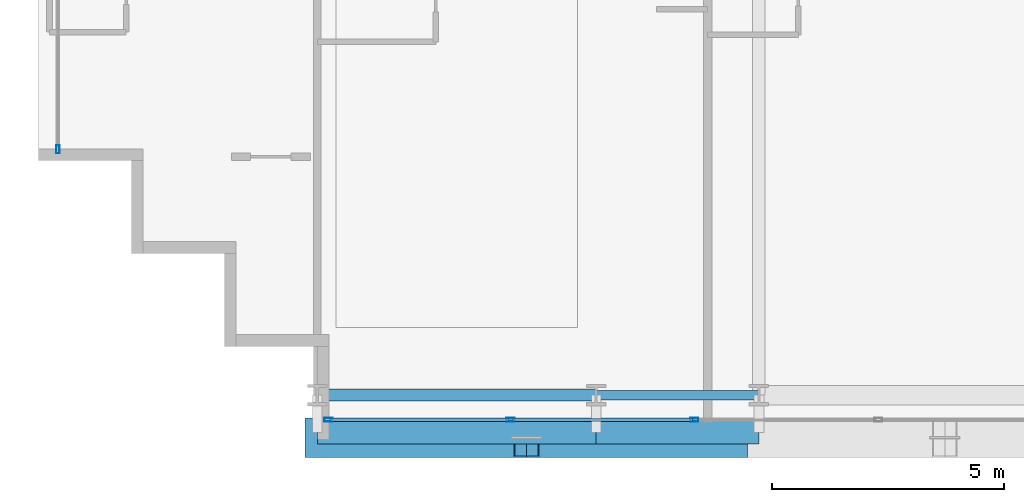
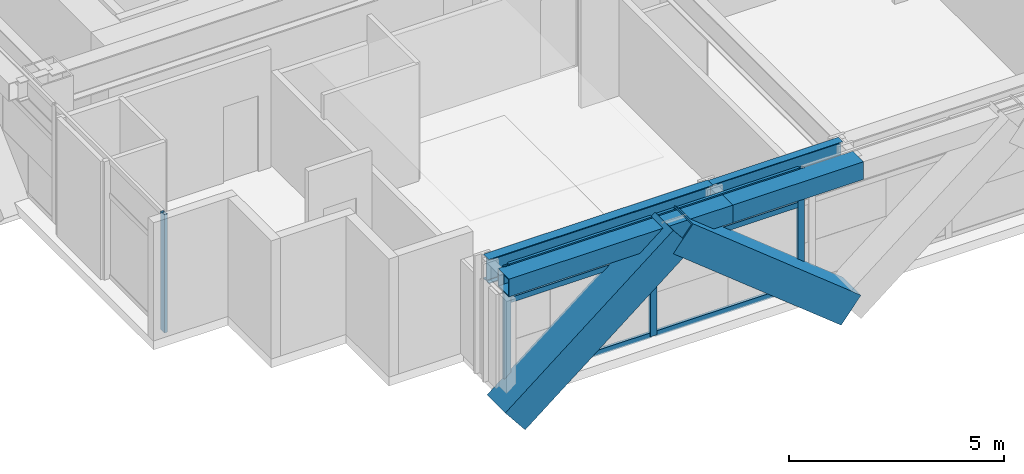
# One storey, part 2 of 35: 12 members, 4 beams, 2 elements without a shape of their own.
"""IFC4 building model written with IfcOpenShell, lengths in metres."""

import ifcopenshell
import ifcopenshell.guid

model = None  # the IFC model being written
_history = None  # IfcOwnerHistory: only IFC2X3 demands one
_inside = {}  # id of a spatial element -> (the spatial element, [elements in it])
_under = {}  # id of a project, library or spatial element -> (it, [spatial elements below it])
_declared = {}  # id of a project -> (the project, [libraries it declares])
_typed = {}  # id of a type object -> (the type object, [elements of that type])
_made_of = {}  # id of a material, layer set ... -> (it, [elements and type objects made of it])


def new_model(schema):
    """Start an empty IFC model of exactly this schema.

    Asked for "IFC4X3", IfcOpenShell would pick the latest addendum, in which some entities
    have other attributes; the version numbers below select the first issue.
    IFC2X3 requires an IfcOwnerHistory on every rooted entity: one is made here for all.
    """
    global model, _history
    if schema == "IFC4X3":
        model = ifcopenshell.file(schema_version=(4, 3, 0, 0))
    else:
        model = ifcopenshell.file(schema=schema)
    _inside.clear()
    _under.clear()
    _declared.clear()
    _typed.clear()
    _made_of.clear()
    _history = None
    if model.schema == "IFC2X3":
        org = make("IfcOrganization", Name="unknown")
        user = make(
            "IfcPersonAndOrganization",
            ThePerson=make("IfcPerson", FamilyName="unknown"),
            TheOrganization=org,
        )
        app = make(
            "IfcApplication",
            ApplicationDeveloper=org,
            Version="unknown",
            ApplicationFullName="unknown",
            ApplicationIdentifier="unknown",
        )
        _history = make(
            "IfcOwnerHistory",
            OwningUser=user,
            OwningApplication=app,
            ChangeAction="ADDED",
            CreationDate=0,
        )
    return model


def make(cls, **values):
    """One entity of the class cls with the attributes given. An attribute that is None is left unset."""
    return model.create_entity(
        cls, **{name: value for name, value in values.items() if value is not None}
    )


def rooted(cls, **values):
    """An entity with a GlobalId (a new one), such as an element, a storey or a relation."""
    return make(cls, GlobalId=ifcopenshell.guid.new(), OwnerHistory=_history, **values)


def si_unit(unit_type, name, prefix=None):
    """IfcSIUnit, for example si_unit("LENGTHUNIT", "METRE", prefix="MILLI")."""
    return make("IfcSIUnit", UnitType=unit_type, Prefix=prefix, Name=name)


def assignment(units):
    """IfcUnitAssignment: the units of a project."""
    return None if units is None else make("IfcUnitAssignment", Units=units)


def point(xyz):
    """IfcCartesianPoint."""
    return None if xyz is None else make("IfcCartesianPoint", Coordinates=xyz)


def direction(xyz):
    """IfcDirection."""
    return None if xyz is None else make("IfcDirection", DirectionRatios=xyz)


def frame(location, z_axis=None, x_axis=None):
    """IfcAxis2Placement3D, a coordinate frame: its origin and axes. An axis left out is left unset."""
    return make(
        "IfcAxis2Placement3D",
        Location=point(location),
        Axis=direction(z_axis),
        RefDirection=direction(x_axis),
    )


def frame_2d(location, x_axis=None):
    """IfcAxis2Placement2D, a coordinate frame in the plane: its origin and x axis."""
    return make(
        "IfcAxis2Placement2D", Location=point(location), RefDirection=direction(x_axis)
    )


def origin():
    """The frame at (0, 0, 0) with its axes left unset."""
    return frame((0.0, 0.0, 0.0))


def origin_2d():
    """The frame at (0, 0) in the plane with its x axis left unset."""
    return frame_2d((0.0, 0.0))


def place(relative_to, where):
    """IfcLocalPlacement: puts the frame where relative to a parent placement (None: the world)."""
    return make(
        "IfcLocalPlacement", PlacementRelTo=relative_to, RelativePlacement=where
    )


def context(
    kind, dimensions, precision=None, world=None, true_north=None, identifier=None
):
    """IfcGeometricRepresentationContext, for example the 3D "Model" context."""
    return make(
        "IfcGeometricRepresentationContext",
        ContextIdentifier=identifier,
        ContextType=kind,
        CoordinateSpaceDimension=dimensions,
        Precision=precision,
        WorldCoordinateSystem=world,
        TrueNorth=true_north,
    )


def subcontext(parent, identifier, kind, view, scale=None):
    """IfcGeometricRepresentationSubContext, for example "Body" below "Model"."""
    return make(
        "IfcGeometricRepresentationSubContext",
        ContextIdentifier=identifier,
        ContextType=kind,
        ParentContext=parent,
        TargetScale=scale,
        TargetView=view,
    )


def project(units=None, contexts=None):
    """IfcProject with its units and contexts."""
    return rooted(
        "IfcProject",
        Name="project",
        RepresentationContexts=contexts,
        UnitsInContext=assignment(units),
    )


def spatial(cls, under=None, at=None, **own):
    """A site, building, storey or space (cls), placed at a placement, below another one or the project."""
    s = rooted(cls, ObjectPlacement=at, **own)
    if under is not None:
        _under.setdefault(under.id(), (under, []))[1].append(s)
    return s


def profile(cls, at=None, kind="AREA", **sizes):
    """A parametric profile (cls). Its sizes go by their IFC names, for example OverallWidth=200.0."""
    return make(cls, ProfileType=kind, Position=at, **sizes)


def hollow_rectangle(**sizes):
    """IfcRectangleHollowProfileDef."""
    return profile("IfcRectangleHollowProfileDef", **sizes)


def i_section(**sizes):
    """IfcIShapeProfileDef."""
    return profile("IfcIShapeProfileDef", **sizes)


def extrude(swept, where, along, depth):
    """IfcExtrudedAreaSolid: the profile swept, set in the frame where, extruded along a direction by depth."""
    return make(
        "IfcExtrudedAreaSolid",
        SweptArea=swept,
        Position=where,
        ExtrudedDirection=direction(along),
        Depth=depth,
    )


def shape(context_of_items, identifier, shape_type, items):
    """IfcShapeRepresentation: the items that make up one representation, for example the "Body"."""
    return make(
        "IfcShapeRepresentation",
        ContextOfItems=context_of_items,
        RepresentationIdentifier=identifier,
        RepresentationType=shape_type,
        Items=items,
    )


def source(mapping_origin, context_of_items, identifier, shape_type, items):
    """IfcRepresentationMap: a shape defined once, which mapped items show again and again."""
    return make(
        "IfcRepresentationMap",
        MappingOrigin=mapping_origin,
        MappedRepresentation=shape(context_of_items, identifier, shape_type, items),
    )


def transform(
    local_origin,
    x_axis=None,
    y_axis=None,
    z_axis=None,
    scale=None,
    scale2=None,
    scale3=None,
    uniform=True,
):
    """IfcCartesianTransformationOperator3D, or its non-uniform kind. x_axis, y_axis, z_axis: its Axis1, 2, 3."""
    if uniform:
        return make(
            "IfcCartesianTransformationOperator3D",
            Axis1=direction(x_axis),
            Axis2=direction(y_axis),
            LocalOrigin=point(local_origin),
            Scale=scale,
            Axis3=direction(z_axis),
        )
    return make(
        "IfcCartesianTransformationOperator3DnonUniform",
        Axis1=direction(x_axis),
        Axis2=direction(y_axis),
        LocalOrigin=point(local_origin),
        Scale=scale,
        Axis3=direction(z_axis),
        Scale2=scale2,
        Scale3=scale3,
    )


def mapped(mapping_source, mapping_target):
    """IfcMappedItem: shows the shape of a source again, moved by a transform."""
    return make(
        "IfcMappedItem", MappingSource=mapping_source, MappingTarget=mapping_target
    )


def material(Name=None, Category=None):
    """IfcMaterial."""
    return make("IfcMaterial", Name=Name, Category=Category)


def layer(
    of_material, thickness, ventilated=None, Name=None, Category=None, Priority=None
):
    """IfcMaterialLayer: one layer of a wall or slab, of a material (None: an air gap)."""
    return make(
        "IfcMaterialLayer",
        Material=of_material,
        LayerThickness=thickness,
        IsVentilated=ventilated,
        Name=Name,
        Category=Category,
        Priority=Priority,
    )


def layer_set(layers, Name=None):
    """IfcMaterialLayerSet."""
    return make("IfcMaterialLayerSet", MaterialLayers=layers, LayerSetName=Name)


def material_profile(
    of_material, cross_section, Name=None, Category=None, Priority=None
):
    """IfcMaterialProfile: a cross section and its material."""
    return make(
        "IfcMaterialProfile",
        Name=Name,
        Material=of_material,
        Profile=cross_section,
        Priority=Priority,
        Category=Category,
    )


def profile_set(profiles, Name=None, composite=None):
    """IfcMaterialProfileSet."""
    return make(
        "IfcMaterialProfileSet",
        Name=Name,
        MaterialProfiles=profiles,
        CompositeProfile=composite,
    )


def made_of(thing, what):
    """Note that an element or type object is made of a material, layer set ...; save() writes the relation."""
    if what is not None:
        _made_of.setdefault(what.id(), (what, []))[1].append(thing)
    return thing


def type_object(cls, material=None, **own):
    """A type object (cls), such as IfcWallType, which elements share."""
    return made_of(rooted(cls, **own), material)


def element(
    cls,
    number,
    at=None,
    inside=None,
    cuts=None,
    type_object=None,
    material=None,
    context=None,
    identifier="Body",
    shape_type=None,
    held_by="IfcProductDefinitionShape",
    body=None,
    shapes=None,
    **own,
):
    """One element of the class cls, such as IfcWall. Its Tag is "e" and its number.

    at: its placement. inside: the storey or other place that contains it. cuts: it is an
    opening in that element (IfcRelVoidsElement). A single representation is given by context,
    identifier, shape_type and body (its items); several are given by shapes. held_by: the class
    of the entity that holds the representations. save() writes the other relations.
    """
    e = rooted(cls, Tag="e%d" % number, ObjectPlacement=at, **own)
    if body is not None:
        shapes = [shape(context, identifier, shape_type, body)]
    if shapes is not None:
        e.Representation = make(held_by, Representations=shapes)
    if inside is not None:
        _inside.setdefault(inside.id(), (inside, []))[1].append(e)
    if cuts is not None:
        rooted(
            "IfcRelVoidsElement", RelatingBuildingElement=cuts, RelatedOpeningElement=e
        )
    if type_object is not None:
        _typed.setdefault(type_object.id(), (type_object, []))[1].append(e)
    return made_of(e, material)


def aggregate(whole, parts):
    """IfcRelAggregates: a whole, such as a stair, and the parts it consists of."""
    return rooted("IfcRelAggregates", RelatingObject=whole, RelatedObjects=parts)


def save(model, path):
    """Write the relations noted so far, then the file.

    IfcRelAggregates (storeys below a building ...), IfcRelContainedInSpatialStructure (elements
    in a storey), IfcRelDefinesByType, IfcRelAssociatesMaterial and IfcRelDeclares: one each for
    every whole, place, type object, material and project.
    """
    for whole, parts in _under.values():
        aggregate(whole, parts)
    for where, things in _inside.values():
        rooted(
            "IfcRelContainedInSpatialStructure",
            RelatedElements=things,
            RelatingStructure=where,
        )
    for kind, things in _typed.values():
        rooted("IfcRelDefinesByType", RelatedObjects=things, RelatingType=kind)
    for what, things in _made_of.values():
        rooted("IfcRelAssociatesMaterial", RelatedObjects=things, RelatingMaterial=what)
    for by, libraries in _declared.values():
        rooted("IfcRelDeclares", RelatingContext=by, RelatedDefinitions=libraries)
    model.write(path)


model = new_model("IFC4")

# Units and contexts
model_context = context("Model", 3, precision=1e-05, world=origin(), true_north=direction((0.0, 1.0)))
body_context = subcontext(model_context, "Body", "Model", "MODEL_VIEW")
ifc_project = project(units=[si_unit("LENGTHUNIT", "METRE"), si_unit("AREAUNIT", "SQUARE_METRE"), si_unit("VOLUMEUNIT", "CUBIC_METRE"), si_unit("PLANEANGLEUNIT", "RADIAN"), si_unit("MASSUNIT", "GRAM", prefix="KILO")], contexts=[model_context])

# Site, building, storey
site_placement = place(None, origin())
site = spatial("IfcSite", under=ifc_project, at=site_placement, CompositionType="ELEMENT")
building_placement = place(site_placement, origin())
building = spatial("IfcBuilding", under=site, at=building_placement, Name="Ocotamira Hotel", CompositionType="ELEMENT")
storey_placement = place(building_placement, frame((0.0, 0.0, 63.60009765625)))
storey = spatial("IfcBuildingStorey", under=building, at=storey_placement, Name="L15", CompositionType="ELEMENT", Elevation=63.60009765625)

# Beams
ifc_material_1 = material(Name="Steel ASTM A992 Grade 50", Category="steel")
ifc_material_profile_1 = material_profile(ifc_material_1, i_section(OverallWidth=0.256103515625, OverallDepth=0.693115234375, WebThickness=0.014404296875, FlangeThickness=0.023681640625, FilletRadius=0.01611328125, at=origin_2d()), Name="W27X114")
ifc_profile_set_1 = profile_set([ifc_material_profile_1], Name="Steel ASTM A992 Grade 50")
beam_type_1 = type_object("IfcBeamType", Name="BM-PRIM-W27X114", PredefinedType="BEAM", material=ifc_profile_set_1)
shared_shape_1 = source(origin(), body_context, "Body", "SweptSolid", [
    extrude(i_section(OverallWidth=0.256103515625, OverallDepth=0.693115234375, WebThickness=0.014404296875, FlangeThickness=0.023681640625, FilletRadius=0.01611328125, at=origin_2d()), origin(), (0.0, 0.0, 1.0), 6.0),
])
beam_1_placement = place(storey_placement, frame((14.0, 2.949951171875, 3.00341796875), z_axis=(1.0, 0.0, 0.0), x_axis=(0.0, 1.0, 0.0)))
element("IfcBeam", 1, at=beam_1_placement, inside=storey, type_object=beam_type_1, Name="L15 Girder Y2.95 X14-20", PredefinedType="BEAM", context=body_context, shape_type="MappedRepresentation", body=[
    mapped(shared_shape_1, transform((0.0, 0.0, 0.0), scale=1.0)),
])
ifc_material_profile_2 = material_profile(ifc_material_1, i_section(OverallWidth=0.2099609375, OverallDepth=0.537109375, WebThickness=0.010986328125, FlangeThickness=0.017333984375, FilletRadius=0.012939453125, at=origin_2d()), Name="W21X68")
ifc_profile_set_2 = profile_set([ifc_material_profile_2], Name="Steel ASTM A992 Grade 50")
beam_type_2 = type_object("IfcBeamType", Name="BM-SEC-W21X68", PredefinedType="JOIST", material=ifc_profile_set_2)
shared_shape_2 = source(origin(), body_context, "Body", "SweptSolid", [
    extrude(i_section(OverallWidth=0.2099609375, OverallDepth=0.537109375, WebThickness=0.010986328125, FlangeThickness=0.017333984375, FilletRadius=0.012939453125, at=origin_2d()), origin(), (0.0, 0.0, 1.0), 3.5),
])
beam_2_placement = place(storey_placement, frame((20.0, 2.949951171875, 3.081298828125), z_axis=(1.0, 0.0, 0.0), x_axis=(0.0, 1.0, 0.0)))
element("IfcBeam", 2, at=beam_2_placement, inside=storey, type_object=beam_type_2, Name="L15 Girder Y2.95 X20-23.5", PredefinedType="JOIST", context=body_context, shape_type="MappedRepresentation", body=[
    mapped(shared_shape_2, transform((0.0, 0.0, 0.0), scale=1.0)),
])
ifc_material_2 = material(Name="Steel ASTM A500 Grade C", Category="steel")
ifc_material_profile_3 = material_profile(ifc_material_2, hollow_rectangle(XDim=0.5, YDim=0.5, WallThickness=0.02001953125, at=origin_2d()), Name="HSS500X500X20")
ifc_profile_set_3 = profile_set([ifc_material_profile_3], Name="Steel ASTM A500 Grade C")
beam_type_3 = type_object("IfcBeamType", Name="BM-SPAN-HSS500", PredefinedType="USERDEFINED", material=ifc_profile_set_3)
shared_shape_3 = source(origin(), body_context, "Body", "SweptSolid", [
    extrude(hollow_rectangle(XDim=0.5, YDim=0.5, WallThickness=0.02001953125, at=origin_2d()), origin(), (0.0, 0.0, 1.0), 6.0),
])
beam_3_placement = place(storey_placement, frame((14.0, 2.14990234375, 3.099853515625), z_axis=(1.0, 0.0, 0.0), x_axis=(0.0, 1.0, 0.0)))
element("IfcBeam", 3, at=beam_3_placement, inside=storey, type_object=beam_type_3, Name="L15 Edge Spandrel S X14-20", ObjectType="SPANDREL", PredefinedType="USERDEFINED", context=body_context, shape_type="MappedRepresentation", body=[
    mapped(shared_shape_3, transform((0.0, 0.0, 0.0), scale=1.0)),
])
shared_shape_4 = source(origin(), body_context, "Body", "SweptSolid", [
    extrude(hollow_rectangle(XDim=0.5, YDim=0.5, WallThickness=0.02001953125, at=origin_2d()), origin(), (0.0, 0.0, 1.0), 3.5),
])
beam_4_placement = place(storey_placement, frame((20.0, 2.14990234375, 3.099853515625), z_axis=(1.0, 0.0, 0.0), x_axis=(0.0, 1.0, 0.0)))
element("IfcBeam", 4, at=beam_4_placement, inside=storey, type_object=beam_type_3, Name="L15 Edge Spandrel S X20-23.5", ObjectType="SPANDREL", PredefinedType="USERDEFINED", context=body_context, shape_type="MappedRepresentation", body=[
    mapped(shared_shape_4, transform((0.0, 0.0, 0.0), scale=1.0)),
])

# Members
ifc_material_3 = material(Name="Pale-metal coated steel ASTM A913 Grade 65", Category="steel")
ifc_material_profile_4 = material_profile(ifc_material_3, hollow_rectangle(XDim=0.85009765625, YDim=0.85009765625, WallThickness=0.035888671875, at=origin_2d()), Name="BOX850X850X36")
ifc_profile_set_4 = profile_set([ifc_material_profile_4], Name="Pale-metal coated steel ASTM A913 Grade 65")
member_type_1 = type_object("IfcMemberType", Name="MEM-EXO-BOX850", PredefinedType="BRACE", material=ifc_profile_set_4)
shared_shape_5 = source(origin(), body_context, "Body", "SweptSolid", [
    extrude(hollow_rectangle(XDim=0.85009765625, YDim=0.85009765625, WallThickness=0.035888671875, at=origin_2d()), origin(), (0.0, 0.0, 1.0), 5.7626953125),
])
for number, where, z_axis, x_axis, name in (
    (5, (14.0, 2.030029296875, -0.5), (0.780881208953, 0.0, 0.624679547852), (0.0, 1.0, 0.0), "L15 Exoskeleton Diagrid S0.1"),
    (6, (23.0, 2.030029296875, -0.5), (-0.780881208953, 0.0, 0.624679547852), (0.0, -1.0, 0.0), "L15 Exoskeleton Diagrid S0.2"),
):
    element("IfcMember", number, at=place(storey_placement, frame(where, z_axis=z_axis, x_axis=x_axis)), inside=storey, type_object=member_type_1, Name=name, PredefinedType="BRACE", context=body_context, shape_type="MappedRepresentation", body=[
        mapped(shared_shape_5, transform((0.0, 0.0, 0.0), scale=1.0)),
    ])

# Curtain wall, members
ifc_material_4 = material(Name="Anodised pale-metal aluminium and solar glass", Category="aluminium")
ifc_layer = layer(ifc_material_4, 0.179931640625)
ifc_layer_set = layer_set([ifc_layer], Name="Anodised pale-metal aluminium and solar glass")
curtain_wall_type = type_object("IfcCurtainWallType", Name="CW-SYS2-Z1", PredefinedType="NOTDEFINED", material=ifc_layer_set)
curtain_wall_1_placement = place(storey_placement, origin())
curtain_wall_1 = element("IfcCurtainWall", 7, at=curtain_wall_1_placement, inside=storey, type_object=curtain_wall_type, Name="L15 Curtain Wall CW-2 CW-L15-S1", PredefinedType="NOTDEFINED")
ifc_material_5 = material(Name="Anodised pale-metal aluminium 6063-T6", Category="aluminium")
ifc_material_profile_5 = material_profile(ifc_material_5, hollow_rectangle(XDim=0.080078125, YDim=0.179931640625, WallThickness=0.006103515625, at=origin_2d()), Name="HSS180X80X6")
ifc_profile_set_5 = profile_set([ifc_material_profile_5], Name="Anodised pale-metal aluminium 6063-T6")
member_type_2 = type_object("IfcMemberType", Name="CWM-180X75", PredefinedType="MULLION", material=ifc_profile_set_5)
shared_shape_6 = source(origin(), body_context, "Body", "SweptSolid", [
    extrude(hollow_rectangle(XDim=0.080078125, YDim=0.179931640625, WallThickness=0.006103515625, at=origin_2d()), origin(), (0.0, 0.0, 1.0), 3.349853515625),
])
member_1_placement = place(storey_placement, frame((14.239990234375, 2.419921875, 0.0), z_axis=(0.0, 0.0, 1.0), x_axis=(0.0, 1.0, 0.0)))
member_1 = element("IfcMember", 8, at=member_1_placement, type_object=member_type_2, Name="CW-2 mullion 1", PredefinedType="MULLION", context=body_context, shape_type="MappedRepresentation", body=[
    mapped(shared_shape_6, transform((0.0, 0.0, 0.0), scale=1.0)),
])
member_2_placement = place(storey_placement, frame((18.155517578125, 2.419921875, 0.0), z_axis=(0.0, 0.0, 1.0), x_axis=(0.0, 1.0, 0.0)))
member_2 = element("IfcMember", 9, at=member_2_placement, type_object=member_type_2, Name="CW-2 mullion 2", PredefinedType="MULLION", context=body_context, shape_type="MappedRepresentation", body=[
    mapped(shared_shape_6, transform((0.0, 0.0, 0.0), scale=1.0)),
])
member_3_placement = place(storey_placement, frame((22.111083984375, 2.419921875, 0.0), z_axis=(0.0, 0.0, 1.0), x_axis=(0.0, 1.0, 0.0)))
member_3 = element("IfcMember", 10, at=member_3_placement, type_object=member_type_2, Name="CW-2 mullion 3", PredefinedType="MULLION", context=body_context, shape_type="MappedRepresentation", body=[
    mapped(shared_shape_6, transform((0.0, 0.0, 0.0), scale=1.0)),
])

# Curtain wall, member
curtain_wall_2_placement = place(storey_placement, origin())
curtain_wall_2 = element("IfcCurtainWall", 11, at=curtain_wall_2_placement, inside=storey, type_object=curtain_wall_type, Name="L15 Curtain Wall CW-2 CW-L15-W", PredefinedType="NOTDEFINED")
member_4_placement = place(storey_placement, frame((8.419921875, 8.239990234375, 0.0), z_axis=(0.0, 0.0, 1.0), x_axis=(-1.0, 0.0, 0.0)))
member_4 = element("IfcMember", 12, at=member_4_placement, type_object=member_type_2, Name="CW-2 mullion 1", PredefinedType="MULLION", context=body_context, shape_type="MappedRepresentation", body=[
    mapped(shared_shape_6, transform((0.0, 0.0, 0.0), scale=1.0)),
])
aggregate(curtain_wall_2, [member_4])

# Member
ifc_material_profile_6 = material_profile(ifc_material_5, hollow_rectangle(XDim=0.074951171875, YDim=0.14990234375, WallThickness=0.006103515625, at=origin_2d()), Name="HSS150X75X6")
ifc_profile_set_6 = profile_set([ifc_material_profile_6], Name="Anodised pale-metal aluminium 6063-T6")
member_type_3 = type_object("IfcMemberType", Name="CWT-150X75", PredefinedType="USERDEFINED", material=ifc_profile_set_6)
shared_shape_7 = source(origin(), body_context, "Body", "SweptSolid", [
    extrude(hollow_rectangle(XDim=0.074951171875, YDim=0.14990234375, WallThickness=0.006103515625, at=origin_2d()), origin(), (0.0, 0.0, 1.0), 3.83544921875),
])
member_5_placement = place(storey_placement, frame((14.280029296875, 2.419921875, 0.037353515625), z_axis=(1.0, 0.0, 0.0), x_axis=(0.0, 1.0, 0.0)))
member_5 = element("IfcMember", 13, at=member_5_placement, type_object=member_type_3, Name="CW-2 transom 1.1", ObjectType="TRANSOM", PredefinedType="USERDEFINED", context=body_context, shape_type="MappedRepresentation", body=[
    mapped(shared_shape_7, transform((0.0, 0.0, 0.0), scale=1.0)),
])

member_6_placement = place(storey_placement, frame((14.280029296875, 2.419921875, 2.349853515625), z_axis=(1.0, 0.0, 0.0), x_axis=(0.0, 1.0, 0.0)))
member_6 = element("IfcMember", 14, at=member_6_placement, type_object=member_type_3, Name="CW-2 transom 1.2", ObjectType="TRANSOM", PredefinedType="USERDEFINED", context=body_context, shape_type="MappedRepresentation", body=[
    mapped(shared_shape_7, transform((0.0, 0.0, 0.0), scale=1.0)),
])

member_7_placement = place(storey_placement, frame((14.280029296875, 2.419921875, 3.3125), z_axis=(1.0, 0.0, 0.0), x_axis=(0.0, 1.0, 0.0)))
member_7 = element("IfcMember", 15, at=member_7_placement, type_object=member_type_3, Name="CW-2 transom 1.3", ObjectType="TRANSOM", PredefinedType="USERDEFINED", context=body_context, shape_type="MappedRepresentation", body=[
    mapped(shared_shape_7, transform((0.0, 0.0, 0.0), scale=1.0)),
])

shared_shape_8 = source(origin(), body_context, "Body", "SweptSolid", [
    extrude(hollow_rectangle(XDim=0.074951171875, YDim=0.14990234375, WallThickness=0.006103515625, at=origin_2d()), origin(), (0.0, 0.0, 1.0), 3.87548828125),
])
member_8_placement = place(storey_placement, frame((18.195556640625, 2.419921875, 0.037353515625), z_axis=(1.0, 0.0, 0.0), x_axis=(0.0, 1.0, 0.0)))
member_8 = element("IfcMember", 16, at=member_8_placement, type_object=member_type_3, Name="CW-2 transom 2.1", ObjectType="TRANSOM", PredefinedType="USERDEFINED", context=body_context, shape_type="MappedRepresentation", body=[
    mapped(shared_shape_8, transform((0.0, 0.0, 0.0), scale=1.0)),
])

member_9_placement = place(storey_placement, frame((18.195556640625, 2.419921875, 2.349853515625), z_axis=(1.0, 0.0, 0.0), x_axis=(0.0, 1.0, 0.0)))
member_9 = element("IfcMember", 17, at=member_9_placement, type_object=member_type_3, Name="CW-2 transom 2.2", ObjectType="TRANSOM", PredefinedType="USERDEFINED", context=body_context, shape_type="MappedRepresentation", body=[
    mapped(shared_shape_8, transform((0.0, 0.0, 0.0), scale=1.0)),
])

member_10_placement = place(storey_placement, frame((18.195556640625, 2.419921875, 3.3125), z_axis=(1.0, 0.0, 0.0), x_axis=(0.0, 1.0, 0.0)))
member_10 = element("IfcMember", 18, at=member_10_placement, type_object=member_type_3, Name="CW-2 transom 2.3", ObjectType="TRANSOM", PredefinedType="USERDEFINED", context=body_context, shape_type="MappedRepresentation", body=[
    mapped(shared_shape_8, transform((0.0, 0.0, 0.0), scale=1.0)),
])

aggregate(curtain_wall_1, [member_1, member_2, member_3, member_5, member_6, member_7, member_8, member_9, member_10])

save(model, "model.ifc")
